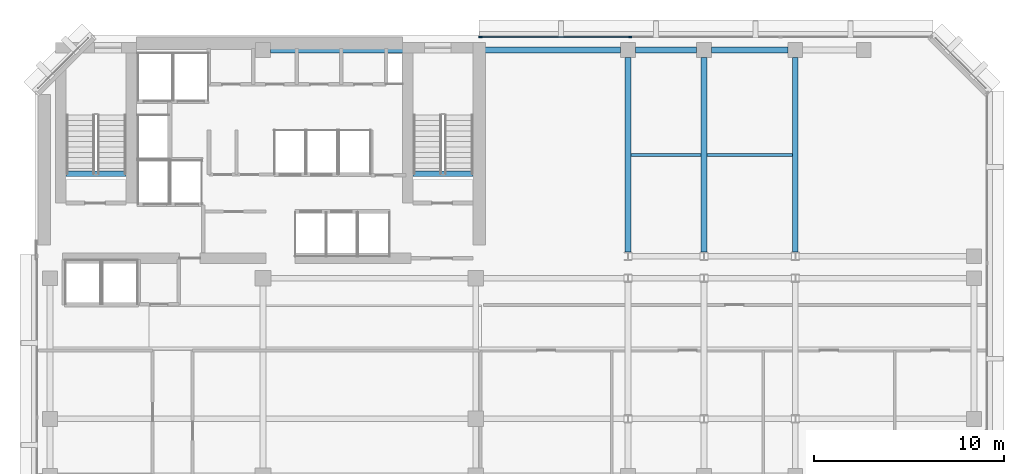
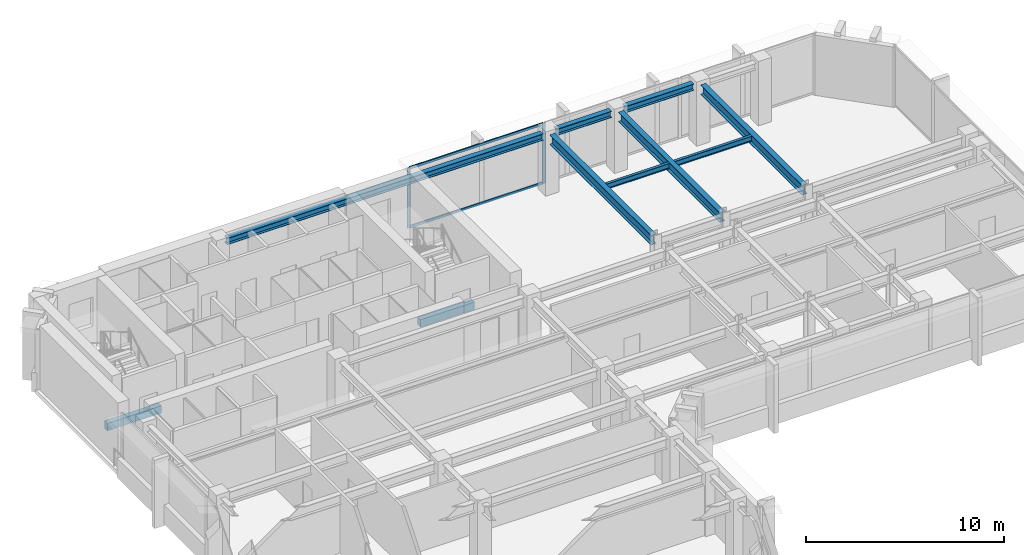
# One storey, part 4 of 12: 10 beams, 4 members, 1 element without a shape of its own.
"""IFC4 building model written with IfcOpenShell, lengths in metres."""

from ifc_helpers import new_model, si_unit, direction, frame, origin, origin_2d, place, context, subcontext, project, spatial, rectangle, i_section, extrude, material, layer, layer_set, material_profile, profile_set, type_object, element, aggregate, save


model = new_model("IFC4")

# Units and contexts
model_context = context("Model", 3, precision=1e-05, world=origin(), true_north=direction((0.0, 1.0)))
body_context = subcontext(model_context, "Body", "Model", "MODEL_VIEW")
ifc_project = project(units=[si_unit("LENGTHUNIT", "METRE"), si_unit("AREAUNIT", "SQUARE_METRE"), si_unit("VOLUMEUNIT", "CUBIC_METRE"), si_unit("PLANEANGLEUNIT", "RADIAN"), si_unit("MASSUNIT", "GRAM", prefix="KILO")], contexts=[model_context])

# Site, building, storey
site_placement = place(None, origin())
site = spatial("IfcSite", under=ifc_project, at=site_placement, CompositionType="ELEMENT")
building_placement = place(site_placement, origin())
building = spatial("IfcBuilding", under=site, at=building_placement, Name="Kefirva Bronze Tower", CompositionType="ELEMENT")
storey_placement = place(building_placement, frame((0.0, 0.0, 195.360107421875)))
storey = spatial("IfcBuildingStorey", under=building, at=storey_placement, Name="L47", CompositionType="ELEMENT", Elevation=195.360107421875)

# Curtain wall, members
ifc_material_1 = material(Name="Bronze anodised aluminium", Category="aluminium")
ifc_layer = layer(ifc_material_1, 0.179931640625, Name="Bronze anodised aluminium")
ifc_layer_set = layer_set([ifc_layer], Name="Bronze anodised aluminium")
curtain_wall_type = type_object("IfcCurtainWallType", Name="Unitised Bronze Ribbon Curtain Wall Zone 3", PredefinedType="USERDEFINED", material=ifc_layer_set)
curtain_wall_placement = place(storey_placement, origin())
curtain_wall = element("IfcCurtainWall", 1, at=curtain_wall_placement, inside=storey, type_object=curtain_wall_type, Name="L47 Curtain Wall 4", ObjectType="UNITISED CURTAIN WALL", PredefinedType="USERDEFINED")
ifc_material_profile_1 = material_profile(ifc_material_1, rectangle(XDim=0.074951171875, YDim=0.179931640625, at=origin_2d()), Name="ALU 75x180")
ifc_profile_set_1 = profile_set([ifc_material_profile_1], Name="Bronze anodised aluminium")
member_type_1 = type_object("IfcMemberType", Name="Bronze Mullion 75x180", PredefinedType="MULLION", material=ifc_profile_set_1)
member_1_placement = place(storey_placement, frame((31.318359375, 45.8798828125, 0.0), z_axis=(0.0, 0.0, 1.0), x_axis=(0.0, -1.0, 0.0)))
member_1 = element("IfcMember", 2, at=member_1_placement, type_object=member_type_1, Name="CW-03 mullion 3", PredefinedType="MULLION", context=body_context, shape_type="SweptSolid", body=[
    extrude(rectangle(XDim=0.074951171875, YDim=0.179931640625, at=origin_2d()), origin(), (0.0, 0.0, 1.0), 3.7099609375),
])
member_2_placement = place(storey_placement, frame((23.4423828125, 45.8798828125, 0.0), z_axis=(0.0, 0.0, 1.0), x_axis=(0.0, -1.0, 0.0)))
member_2 = element("IfcMember", 3, at=member_2_placement, type_object=member_type_1, Name="CW-03 mullion 4", PredefinedType="MULLION", context=body_context, shape_type="SweptSolid", body=[
    extrude(rectangle(XDim=0.074951171875, YDim=0.179931640625, at=origin_2d()), origin(), (0.0, 0.0, 1.0), 3.7099609375),
])
ifc_material_profile_2 = material_profile(ifc_material_1, rectangle(XDim=0.074951171875, YDim=0.14990234375, at=origin_2d()), Name="ALU 75x150")
ifc_profile_set_2 = profile_set([ifc_material_profile_2], Name="Bronze anodised aluminium")
member_type_2 = type_object("IfcMemberType", Name="Bronze Transom 75x150", PredefinedType="USERDEFINED", material=ifc_profile_set_2)
member_3_placement = place(storey_placement, frame((31.28076171875, 45.8798828125, 0.037353515625), z_axis=(-1.0, 0.0, 0.0), x_axis=(0.0, -1.0, 0.0)))
member_3 = element("IfcMember", 4, at=member_3_placement, type_object=member_type_2, Name="CW-03 transom 3.1", ObjectType="TRANSOM", PredefinedType="USERDEFINED", context=body_context, shape_type="SweptSolid", body=[
    extrude(rectangle(XDim=0.074951171875, YDim=0.14990234375, at=origin_2d()), origin(), (0.0, 0.0, 1.0), 7.80078125),
])
member_4_placement = place(storey_placement, frame((31.28076171875, 45.8798828125, 3.67236328125), z_axis=(-1.0, 0.0, 0.0), x_axis=(0.0, -1.0, 0.0)))
member_4 = element("IfcMember", 5, at=member_4_placement, type_object=member_type_2, Name="CW-03 transom 3.2", ObjectType="TRANSOM", PredefinedType="USERDEFINED", context=body_context, shape_type="SweptSolid", body=[
    extrude(rectangle(XDim=0.074951171875, YDim=0.14990234375, at=origin_2d()), origin(), (0.0, 0.0, 1.0), 7.80078125),
])
aggregate(curtain_wall, [member_1, member_2, member_3, member_4])

# Beams
ifc_material_2 = material(Name="Concrete C50/60", Category="concrete")
ifc_material_profile_3 = material_profile(ifc_material_2, rectangle(XDim=0.300048828125, YDim=0.449951171875, at=origin_2d()), Name="RC 300x450")
ifc_profile_set_3 = profile_set([ifc_material_profile_3], Name="Concrete C50/60")
beam_type_1 = type_object("IfcBeamType", Name="RC Stair Trimmer Beam 300x450", PredefinedType="BEAM", material=ifc_profile_set_3)
beam_1_placement = place(storey_placement, frame((1.64501953125, 38.699951171875, -0.22509765625), z_axis=(1.0, 0.0, 0.0), x_axis=(0.0, 1.0, 0.0)))
element("IfcBeam", 6, at=beam_1_placement, inside=storey, type_object=beam_type_1, Name="L47 Stair 1 Landing Trimmer Beam", PredefinedType="BEAM", context=body_context, shape_type="SweptSolid", body=[
    extrude(rectangle(XDim=0.300048828125, YDim=0.449951171875, at=origin_2d()), origin(), (0.0, 0.0, 1.0), 3.14990234375),
])
beam_2_placement = place(storey_placement, frame((19.89501953125, 38.699951171875, -0.22509765625), z_axis=(1.0, 0.0, 0.0), x_axis=(0.0, 1.0, 0.0)))
element("IfcBeam", 7, at=beam_2_placement, inside=storey, type_object=beam_type_1, Name="L47 Stair 2 Landing Trimmer Beam", PredefinedType="BEAM", context=body_context, shape_type="SweptSolid", body=[
    extrude(rectangle(XDim=0.300048828125, YDim=0.449951171875, at=origin_2d()), origin(), (0.0, 0.0, 1.0), 3.159912109375),
])
ifc_material_3 = material(Name="Steel S355", Category="steel")
ifc_material_profile_4 = material_profile(ifc_material_3, i_section(OverallWidth=0.159912109375, OverallDepth=0.330078125, WebThickness=0.007568359375, FlangeThickness=0.011474609375, at=origin_2d()), Name="IPE 330")
ifc_profile_set_4 = profile_set([ifc_material_profile_4], Name="Steel S355")
beam_type_2 = type_object("IfcBeamType", Name="Steel Floor Joist IPE 330", PredefinedType="JOIST", material=ifc_profile_set_4)
beam_3_placement = place(storey_placement, frame((31.35009765625, 39.688720703125, 3.544921875), z_axis=(1.0, 0.0, 0.0), x_axis=(0.0, 1.0, 0.0)))
element("IfcBeam", 8, at=beam_3_placement, inside=storey, type_object=beam_type_2, Name="L47 JST-L47-31-396", PredefinedType="JOIST", context=body_context, shape_type="SweptSolid", body=[
    extrude(i_section(OverallWidth=0.159912109375, OverallDepth=0.330078125, WebThickness=0.007568359375, FlangeThickness=0.011474609375, at=origin_2d()), origin(), (0.0, 0.0, 1.0), 3.699951171875),
])
beam_4_placement = place(storey_placement, frame((35.35009765625, 39.688720703125, 3.544921875), z_axis=(1.0, 0.0, 0.0), x_axis=(0.0, 1.0, 0.0)))
element("IfcBeam", 9, at=beam_4_placement, inside=storey, type_object=beam_type_2, Name="L47 JST-L47-35-396", PredefinedType="JOIST", context=body_context, shape_type="SweptSolid", body=[
    extrude(i_section(OverallWidth=0.159912109375, OverallDepth=0.330078125, WebThickness=0.007568359375, FlangeThickness=0.011474609375, at=origin_2d()), origin(), (0.0, 0.0, 1.0), 4.5),
])
ifc_material_profile_5 = material_profile(ifc_material_3, i_section(OverallWidth=0.300048828125, OverallDepth=0.60009765625, WebThickness=0.015380859375, FlangeThickness=0.030029296875, at=origin_2d()), Name="HEB 600")
ifc_profile_set_5 = profile_set([ifc_material_profile_5], Name="Steel S355")
beam_type_3 = type_object("IfcBeamType", Name="Steel Girder HEB 600", PredefinedType="USERDEFINED", material=ifc_profile_set_5)
for number, where, z_axis, x_axis, name in (
    (10, (31.199951171875, 34.5673828125, 3.409912109375), (0.0, 1.0, 0.0), (-1.0, 0.0, 0.0), "L47 BM-L47-NS-312-34"),
    (11, (35.199951171875, 34.5673828125, 3.409912109375), (0.0, 1.0, 0.0), (-1.0, 0.0, 0.0), "L47 BM-L47-NS-352-34"),
    (12, (40.0, 34.5673828125, 3.409912109375), (0.0, 1.0, 0.0), (-1.0, 0.0, 0.0), "L47 BM-L47-NS-400-34"),
):
    element("IfcBeam", number, at=place(storey_placement, frame(where, z_axis=z_axis, x_axis=x_axis)), inside=storey, type_object=beam_type_3, Name=name, ObjectType="GIRDER", PredefinedType="USERDEFINED", context=body_context, shape_type="SweptSolid", body=[
        extrude(i_section(OverallWidth=0.300048828125, OverallDepth=0.60009765625, WebThickness=0.015380859375, FlangeThickness=0.030029296875, at=origin_2d()), origin(), (0.0, 0.0, 1.0), 10.24267578125),
    ])
ifc_material_profile_6 = material_profile(ifc_material_3, i_section(OverallWidth=0.300048828125, OverallDepth=0.39990234375, WebThickness=0.013427734375, FlangeThickness=0.02392578125, at=origin_2d()), Name="HEB 400")
ifc_profile_set_6 = profile_set([ifc_material_profile_6], Name="Steel S355")
beam_type_4 = type_object("IfcBeamType", Name="Steel Spandrel HEB 400 Ext", PredefinedType="SPANDREL", material=ifc_profile_set_6)
beam_5_placement = place(storey_placement, frame((12.389892578125, 45.199951171875, 3.510009765625), z_axis=(1.0, 0.0, 0.0), x_axis=(0.0, 1.0, 0.0)))
element("IfcBeam", 13, at=beam_5_placement, inside=storey, type_object=beam_type_4, Name="L47 BM-L47-EW-12-452", PredefinedType="SPANDREL", context=body_context, shape_type="SweptSolid", body=[
    extrude(i_section(OverallWidth=0.300048828125, OverallDepth=0.39990234375, WebThickness=0.013427734375, FlangeThickness=0.02392578125, at=origin_2d()), origin(), (0.0, 0.0, 1.0), 18.420166015625),
])
beam_6_placement = place(storey_placement, frame((31.590087890625, 45.199951171875, 3.510009765625), z_axis=(1.0, 0.0, 0.0), x_axis=(0.0, 1.0, 0.0)))
element("IfcBeam", 14, at=beam_6_placement, inside=storey, type_object=beam_type_4, Name="L47 BM-L47-EW-31-452", PredefinedType="SPANDREL", context=body_context, shape_type="SweptSolid", body=[
    extrude(i_section(OverallWidth=0.300048828125, OverallDepth=0.39990234375, WebThickness=0.013427734375, FlangeThickness=0.02392578125, at=origin_2d()), origin(), (0.0, 0.0, 1.0), 3.219970703125),
])
beam_7_placement = place(storey_placement, frame((35.590087890625, 45.199951171875, 3.510009765625), z_axis=(1.0, 0.0, 0.0), x_axis=(0.0, 1.0, 0.0)))
element("IfcBeam", 15, at=beam_7_placement, inside=storey, type_object=beam_type_4, Name="L47 BM-L47-EW-35-452", PredefinedType="SPANDREL", context=body_context, shape_type="SweptSolid", body=[
    extrude(i_section(OverallWidth=0.300048828125, OverallDepth=0.39990234375, WebThickness=0.013427734375, FlangeThickness=0.02392578125, at=origin_2d()), origin(), (0.0, 0.0, 1.0), 4.02001953125),
])

save(model, "model.ifc")
